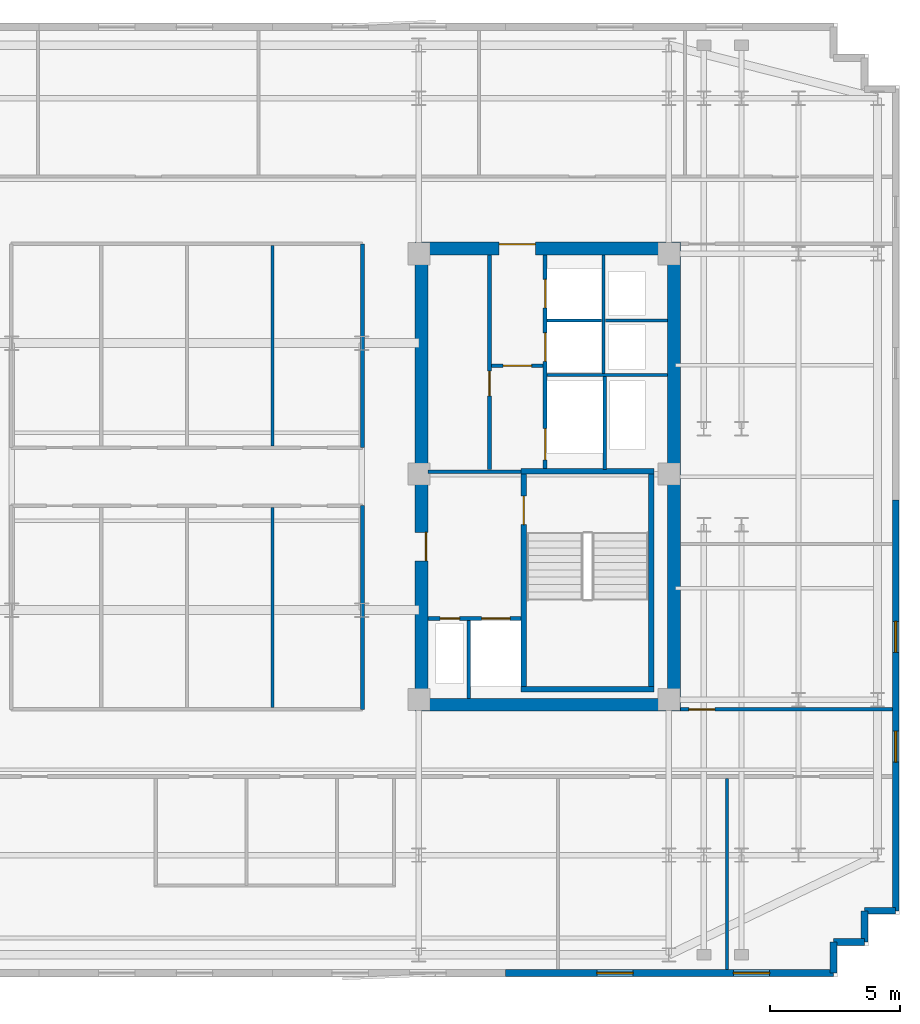
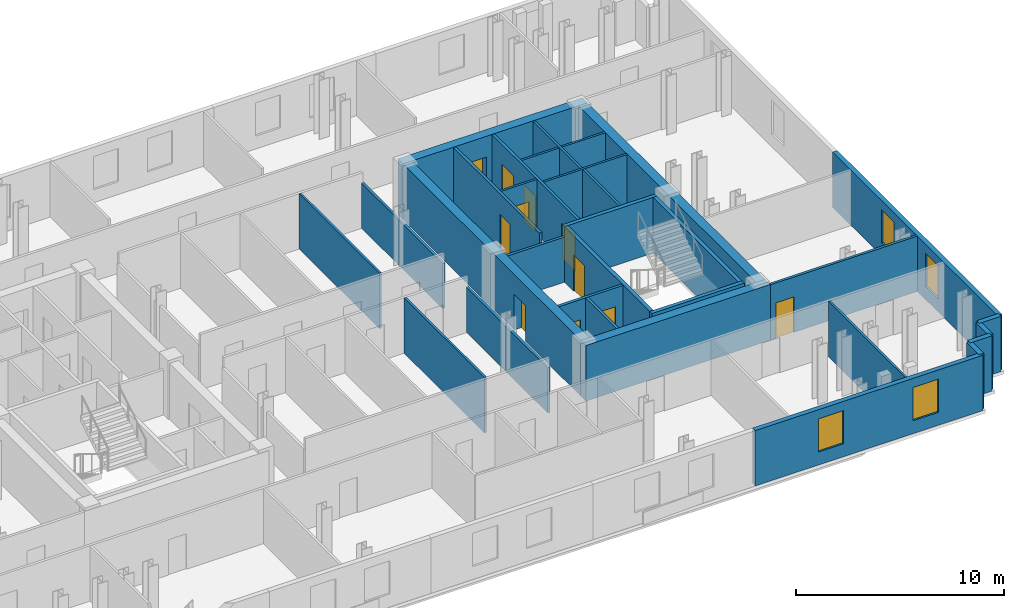
# One storey, part 6 of 9: 31 walls, 11 doors, 4 windows, 15 openings.
"""IFC4 building model written with IfcOpenShell, lengths in metres."""

from ifc_helpers import new_model, si_unit, direction, frame, frame_2d, origin, place, context, subcontext, project, spatial, rectangle, extrude, material, layer, layer_set, type_object, element, fill, save


model = new_model("IFC4")

# Units and contexts
model_context = context("Model", 3, precision=1e-05, world=origin(), true_north=direction((0.0, 1.0)))
body_context = subcontext(model_context, "Body", "Model", "MODEL_VIEW")
ifc_project = project(units=[si_unit("LENGTHUNIT", "METRE"), si_unit("AREAUNIT", "SQUARE_METRE"), si_unit("VOLUMEUNIT", "CUBIC_METRE"), si_unit("PLANEANGLEUNIT", "RADIAN"), si_unit("MASSUNIT", "GRAM", prefix="KILO")], contexts=[model_context])

# Site, building, storey
site_placement = place(None, origin())
site = spatial("IfcSite", under=ifc_project, at=site_placement, CompositionType="ELEMENT")
building_placement = place(site_placement, origin())
building = spatial("IfcBuilding", under=site, at=building_placement, Name="Velakula Bourse", CompositionType="ELEMENT")
storey_placement = place(building_placement, frame((0.0, 0.0, 236.10009765625)))
storey = spatial("IfcBuildingStorey", under=building, at=storey_placement, Name="L64", CompositionType="ELEMENT", Elevation=236.10009765625)

# Wall, opening, door
ifc_material_1 = material(Name="Concrete M50 (fck 50 MPa)", Category="concrete")
ifc_layer_1 = layer(ifc_material_1, 0.2099609375, Name="Concrete M50 (fck 50 MPa)", Category="concrete")
ifc_layer_set_1 = layer_set([ifc_layer_1], Name="Concrete M50 (fck 50 MPa)")
wall_type_1 = type_object("IfcWallType", Name="WL-CORE-210", PredefinedType="SHEAR", material=ifc_layer_set_1)
wall_1_placement = place(storey_placement, frame((12.9951171875, -8.10009765625, 0.0), z_axis=(0.0, 0.0, 1.0), x_axis=(0.0, 1.0, 0.0)))
wall_1 = element("IfcWall", 1, at=wall_1_placement, inside=storey, type_object=wall_type_1, Name="L64 Core E Stairwell Shear Wall IN", PredefinedType="SHEAR", context=body_context, shape_type="SweptSolid", body=[
    extrude(rectangle(XDim=8.2001953125, YDim=0.2099609375, at=frame_2d((4.10009765625, 0.0))), origin(), (0.0, 0.0, 1.0), 3.27001953125),
])
opening_1_placement = place(wall_1_placement, frame((6.25, 0.0, 0.0)))
opening_1 = element("IfcOpeningElement", 2, at=opening_1_placement, cuts=wall_1, Name="Opening D-STE1", PredefinedType="OPENING", context=body_context, shape_type="SweptSolid", body=[
    extrude(rectangle(XDim=1.10009765625, YDim=2.14990234375, at=frame_2d((0.550048828125, 1.074951171875))), frame((0.0, 0.114990234375, 0.0), z_axis=(0.0, -1.0, 0.0), x_axis=(1.0, 0.0, 0.0)), (0.0, 0.0, 1.0), 0.22998046875),
])
ifc_material_2 = material(Name="Galvanised painted hollow steel fire door", Category="steel")
door_type_1 = type_object("IfcDoorType", Name="DR-FD120-1100x2150", OperationType="NOTDEFINED", PredefinedType="DOOR", material=ifc_material_2)
door_1_placement = place(opening_1_placement, origin())
door_1 = element("IfcDoor", 3, at=door_1_placement, inside=storey, type_object=door_type_1, Name="L64 Stair ST-E1 Fire Door", OperationType="SINGLE_SWING_RIGHT", OverallHeight=2.14990234375, OverallWidth=1.10009765625, PredefinedType="DOOR", context=body_context, shape_type="SweptSolid", body=[
    extrude(rectangle(XDim=1.10009765625, YDim=2.14990234375, at=frame_2d((0.550048828125, 1.074951171875))), frame((0.0, 0.02490234375, 0.0), z_axis=(0.0, -1.0, 0.0), x_axis=(1.0, 0.0, 0.0)), (0.0, 0.0, 1.0), 0.050048828125),
])
fill(opening_1, door_1)

# Walls
wall_2_placement = place(storey_placement, frame((17.925048828125, -8.10009765625, 0.0), z_axis=(0.0, 0.0, 1.0), x_axis=(0.0, 1.0, 0.0)))
element("IfcWall", 4, at=wall_2_placement, inside=storey, type_object=wall_type_1, Name="L64 Core E Stairwell Shear Wall OUT", PredefinedType="SHEAR", context=body_context, shape_type="SweptSolid", body=[
    extrude(rectangle(XDim=8.2001953125, YDim=0.2099609375, at=frame_2d((4.10009765625, 0.0))), origin(), (0.0, 0.0, 1.0), 3.27001953125),
])
for number, where, z_axis, x_axis, name in (
    (5, (12.889892578125, -8.205078125, 0.0), (0.0, 0.0, 1.0), (1.0, 0.0, 0.0), "L64 Core E Stairwell Shear Wall S"),
    (6, (18.030029296875, 0.205078125, 0.0), (0.0, 0.0, 1.0), (-1.0, 0.0, 0.0), "L64 Core E Stairwell Shear Wall N"),
):
    element("IfcWall", number, at=place(storey_placement, frame(where, z_axis=z_axis, x_axis=x_axis)), inside=storey, type_object=wall_type_1, Name=name, PredefinedType="SHEAR", context=body_context, shape_type="SweptSolid", body=[
        extrude(rectangle(XDim=5.14013671875, YDim=0.2099609375, at=frame_2d((2.570068359375, 0.0))), origin(), (0.0, 0.0, 1.0), 3.27001953125),
    ])
ifc_layer_2 = layer(ifc_material_1, 0.5, Name="Concrete M50 (fck 50 MPa)", Category="concrete")
ifc_layer_set_2 = layer_set([ifc_layer_2], Name="Concrete M50 (fck 50 MPa)")
wall_type_2 = type_object("IfcWallType", Name="WL-CORE-500", PredefinedType="SHEAR", material=ifc_layer_set_2)
wall_3_placement = place(storey_placement, frame((8.800048828125, -8.800048828125, 0.0), z_axis=(0.0, 0.0, 1.0), x_axis=(1.0, 0.0, 0.0)))
element("IfcWall", 7, at=wall_3_placement, inside=storey, type_object=wall_type_2, Name="L64 Core E Shear Wall S", PredefinedType="SHEAR", context=body_context, shape_type="SweptSolid", body=[
    extrude(rectangle(XDim=10.25, YDim=0.5, at=frame_2d((5.125, 0.0))), origin(), (0.0, 0.0, 1.0), 3.27001953125),
])

# Wall, opening, door
wall_4_placement = place(storey_placement, frame((8.800048828125, 8.800048828125, 0.0), z_axis=(0.0, 0.0, 1.0), x_axis=(1.0, 0.0, 0.0)))
wall_4 = element("IfcWall", 8, at=wall_4_placement, inside=storey, type_object=wall_type_2, Name="L64 Core E Shear Wall N", PredefinedType="SHEAR", context=body_context, shape_type="SweptSolid", body=[
    extrude(rectangle(XDim=10.25, YDim=0.5, at=frame_2d((5.125, 0.0))), origin(), (0.0, 0.0, 1.0), 3.27001953125),
])
opening_2_placement = place(wall_4_placement, frame((3.25, 0.0, 0.0)))
opening_2 = element("IfcOpeningElement", 9, at=opening_2_placement, cuts=wall_4, Name="Opening D-LLE", PredefinedType="OPENING", context=body_context, shape_type="SweptSolid", body=[
    extrude(rectangle(XDim=1.39990234375, YDim=2.050048828125, at=frame_2d((0.699951171875, 1.02490234375))), frame((0.0, 0.260009765625, 0.0), z_axis=(0.0, -1.0, 0.0), x_axis=(1.0, 0.0, 0.0)), (0.0, 0.0, 1.0), 0.52001953125),
])
ifc_material_3 = material(Name="Fire-rated hardwood flush architectural door", Category="wood")
door_type_2 = type_object("IfcDoorType", Name="DR-DBL-FD60-1400", OperationType="DOUBLE_DOOR_SINGLE_SWING", PredefinedType="DOOR", material=ifc_material_3)
door_2_placement = place(opening_2_placement, origin())
door_2 = element("IfcDoor", 10, at=door_2_placement, inside=storey, type_object=door_type_2, Name="L64 Core E Lift Lobby Corridor Double Door", OperationType="DOUBLE_DOOR_SINGLE_SWING", OverallHeight=2.050048828125, OverallWidth=1.39990234375, PredefinedType="DOOR", context=body_context, shape_type="SweptSolid", body=[
    extrude(rectangle(XDim=1.39990234375, YDim=2.050048828125, at=frame_2d((0.699951171875, 1.02490234375))), frame((0.0, 0.19482421875, 0.0), z_axis=(0.0, -1.0, 0.0), x_axis=(1.0, 0.0, 0.0)), (0.0, 0.0, 1.0), 0.050048828125),
])
fill(opening_2, door_2)

wall_5_placement = place(storey_placement, frame((9.050048828125, -8.550048828125, 0.0), z_axis=(0.0, 0.0, 1.0), x_axis=(0.0, 1.0, 0.0)))
wall_5 = element("IfcWall", 11, at=wall_5_placement, inside=storey, type_object=wall_type_2, Name="L64 Core E Shear Wall W", PredefinedType="SHEAR", context=body_context, shape_type="SweptSolid", body=[
    extrude(rectangle(XDim=17.10009765625, YDim=0.5, at=frame_2d((8.550048828125, 0.0))), origin(), (0.0, 0.0, 1.0), 3.27001953125),
])
opening_3_placement = place(wall_5_placement, frame((5.300048828125, 0.0, 0.0)))
opening_3 = element("IfcOpeningElement", 12, at=opening_3_placement, cuts=wall_5, Name="Opening D-FLE", PredefinedType="OPENING", context=body_context, shape_type="SweptSolid", body=[
    extrude(rectangle(XDim=1.10009765625, YDim=2.080078125, at=frame_2d((0.550048828125, 1.0400390625))), frame((0.0, 0.260009765625, 0.0), z_axis=(0.0, -1.0, 0.0), x_axis=(1.0, 0.0, 0.0)), (0.0, 0.0, 1.0), 0.52001953125),
])
door_type_3 = type_object("IfcDoorType", Name="DR-FD120-1100", OperationType="NOTDEFINED", PredefinedType="DOOR", material=ifc_material_2)
door_3_placement = place(opening_3_placement, origin())
door_3 = element("IfcDoor", 13, at=door_3_placement, inside=storey, type_object=door_type_3, Name="L64 Firefighting Lobby E Corridor Fire Door", OperationType="SINGLE_SWING_RIGHT", OverallHeight=2.080078125, OverallWidth=1.10009765625, PredefinedType="DOOR", context=body_context, shape_type="SweptSolid", body=[
    extrude(rectangle(XDim=1.10009765625, YDim=2.080078125, at=frame_2d((0.550048828125, 1.0400390625))), frame((0.0, -0.15478515625, 0.0), z_axis=(0.0, -1.0, 0.0), x_axis=(1.0, 0.0, 0.0)), (0.0, 0.0, 1.0), 0.050048828125),
])
fill(opening_3, door_3)

# Wall
wall_6_placement = place(storey_placement, frame((18.800048828125, -8.550048828125, 0.0), z_axis=(0.0, 0.0, 1.0), x_axis=(0.0, 1.0, 0.0)))
element("IfcWall", 14, at=wall_6_placement, inside=storey, type_object=wall_type_2, Name="L64 Core E Shear Wall E", PredefinedType="SHEAR", context=body_context, shape_type="SweptSolid", body=[
    extrude(rectangle(XDim=17.10009765625, YDim=0.5, at=frame_2d((8.550048828125, 0.0))), origin(), (0.0, 0.0, 1.0), 3.27001953125),
])

# Wall, openings, windows
ifc_material_4 = material(Name="Buff kilned clay facing brick masonry", Category="masonry")
ifc_layer_3 = layer(ifc_material_4, 0.260009765625, Name="Buff kilned clay facing brick masonry", Category="masonry")
ifc_layer_set_3 = layer_set([ifc_layer_3], Name="Buff kilned clay facing brick masonry")
wall_type_3 = type_object("IfcWallType", Name="WL-EXT-BRK-260", PredefinedType="STANDARD", material=ifc_layer_set_3)
wall_7_placement = place(storey_placement, frame((24.949951171875, -19.14990234375, 0.0), z_axis=(0.0, 0.0, 1.0), x_axis=(-1.0, 0.0, 0.0)))
wall_7 = element("IfcWall", 15, at=wall_7_placement, inside=storey, type_object=wall_type_3, Name="L64 S Brick Spandrel Wall B5", PredefinedType="STANDARD", context=body_context, shape_type="SweptSolid", body=[
    extrude(rectangle(XDim=12.64990234375, YDim=0.260009765625, at=frame_2d((6.324951171875, 0.0))), origin(), (0.0, 0.0, 1.0), 3.25),
])
opening_4_placement = place(wall_7_placement, frame((2.466796875, 0.0, 0.760009765625)))
opening_4 = element("IfcOpeningElement", 16, at=opening_4_placement, cuts=wall_7, Name="Opening W-03", PredefinedType="OPENING", context=body_context, shape_type="SweptSolid", body=[
    extrude(rectangle(XDim=1.39990234375, YDim=1.949951171875, at=frame_2d((0.699951171875, 0.97509765625))), frame((0.0, 0.139892578125, 0.0), z_axis=(0.0, -1.0, 0.0), x_axis=(1.0, 0.0, 0.0)), (0.0, 0.0, 1.0), 0.280029296875),
])
opening_5_placement = place(wall_7_placement, frame((7.7333984375, 0.0, 0.760009765625)))
opening_5 = element("IfcOpeningElement", 17, at=opening_5_placement, cuts=wall_7, Name="Opening W-03", PredefinedType="OPENING", context=body_context, shape_type="SweptSolid", body=[
    extrude(rectangle(XDim=1.39990234375, YDim=1.949951171875, at=frame_2d((0.699951171875, 0.97509765625))), frame((0.0, 0.139892578125, 0.0), z_axis=(0.0, -1.0, 0.0), x_axis=(1.0, 0.0, 0.0)), (0.0, 0.0, 1.0), 0.280029296875),
])
ifc_material_5 = material(Name="Double-glazed solar-control Low-E glass", Category="glass")
window_type_1 = type_object("IfcWindowType", Name="WIN-TWR-1400x2100", PartitioningType="SINGLE_PANEL", PredefinedType="WINDOW", material=ifc_material_5)
window_1_placement = place(opening_4_placement, origin())
window_1 = element("IfcWindow", 18, at=window_1_placement, inside=storey, type_object=window_type_1, Name="L64 Deep-Set Recessed Window 1", OverallHeight=1.949951171875, OverallWidth=1.39990234375, PartitioningType="SINGLE_PANEL", PredefinedType="WINDOW", context=body_context, shape_type="SweptSolid", body=[
    extrude(rectangle(XDim=1.39990234375, YDim=1.949951171875, at=frame_2d((0.699951171875, 0.97509765625))), frame((0.0, 0.030029296875, 0.0), z_axis=(0.0, -1.0, 0.0), x_axis=(1.0, 0.0, 0.0)), (0.0, 0.0, 1.0), 0.06005859375),
])
fill(opening_4, window_1)
window_2_placement = place(opening_5_placement, origin())
window_2 = element("IfcWindow", 19, at=window_2_placement, inside=storey, type_object=window_type_1, Name="L64 Deep-Set Recessed Window 2", OverallHeight=1.949951171875, OverallWidth=1.39990234375, PartitioningType="SINGLE_PANEL", PredefinedType="WINDOW", context=body_context, shape_type="SweptSolid", body=[
    extrude(rectangle(XDim=1.39990234375, YDim=1.949951171875, at=frame_2d((0.699951171875, 0.97509765625))), frame((0.0, 0.030029296875, 0.0), z_axis=(0.0, -1.0, 0.0), x_axis=(1.0, 0.0, 0.0)), (0.0, 0.0, 1.0), 0.06005859375),
])
fill(opening_5, window_2)

wall_8_placement = place(storey_placement, frame((27.35009765625, -0.89990234375, 0.0), z_axis=(0.0, 0.0, 1.0), x_axis=(0.0, -1.0, 0.0)))
wall_8 = element("IfcWall", 20, at=wall_8_placement, inside=storey, type_object=wall_type_3, Name="L64 E Brick End Wall W1", PredefinedType="STANDARD", context=body_context, shape_type="SweptSolid", body=[
    extrude(rectangle(XDim=15.85009765625, YDim=0.260009765625, at=frame_2d((7.925048828125, 0.0))), origin(), (0.0, 0.0, 1.0), 3.25),
])
opening_6_placement = place(wall_8_placement, frame((4.683349609375, 0.0, 0.760009765625)))
opening_6 = element("IfcOpeningElement", 21, at=opening_6_placement, cuts=wall_8, Name="Opening W-04", PredefinedType="OPENING", context=body_context, shape_type="SweptSolid", body=[
    extrude(rectangle(XDim=1.199951171875, YDim=1.949951171875, at=frame_2d((0.60009765625, 0.97509765625))), frame((0.0, 0.139892578125, 0.0), z_axis=(0.0, -1.0, 0.0), x_axis=(1.0, 0.0, 0.0)), (0.0, 0.0, 1.0), 0.280029296875),
])
opening_7_placement = place(wall_8_placement, frame((8.916748046875, 0.0, 0.760009765625)))
opening_7 = element("IfcOpeningElement", 22, at=opening_7_placement, cuts=wall_8, Name="Opening W-04", PredefinedType="OPENING", context=body_context, shape_type="SweptSolid", body=[
    extrude(rectangle(XDim=1.199951171875, YDim=1.949951171875, at=frame_2d((0.60009765625, 0.97509765625))), frame((0.0, 0.139892578125, 0.0), z_axis=(0.0, -1.0, 0.0), x_axis=(1.0, 0.0, 0.0)), (0.0, 0.0, 1.0), 0.280029296875),
])
window_type_2 = type_object("IfcWindowType", Name="WIN-TWR-1200x2100", PartitioningType="SINGLE_PANEL", PredefinedType="WINDOW", material=ifc_material_5)
window_3_placement = place(opening_6_placement, origin())
window_3 = element("IfcWindow", 23, at=window_3_placement, inside=storey, type_object=window_type_2, Name="L64 Deep-Set Recessed Window 1", OverallHeight=1.949951171875, OverallWidth=1.199951171875, PartitioningType="SINGLE_PANEL", PredefinedType="WINDOW", context=body_context, shape_type="SweptSolid", body=[
    extrude(rectangle(XDim=1.199951171875, YDim=1.949951171875, at=frame_2d((0.60009765625, 0.97509765625))), frame((0.0, 0.030029296875, 0.0), z_axis=(0.0, -1.0, 0.0), x_axis=(1.0, 0.0, 0.0)), (0.0, 0.0, 1.0), 0.06005859375),
])
fill(opening_6, window_3)
window_4_placement = place(opening_7_placement, origin())
window_4 = element("IfcWindow", 24, at=window_4_placement, inside=storey, type_object=window_type_2, Name="L64 Deep-Set Recessed Window 2", OverallHeight=1.949951171875, OverallWidth=1.199951171875, PartitioningType="SINGLE_PANEL", PredefinedType="WINDOW", context=body_context, shape_type="SweptSolid", body=[
    extrude(rectangle(XDim=1.199951171875, YDim=1.949951171875, at=frame_2d((0.60009765625, 0.97509765625))), frame((0.0, 0.030029296875, 0.0), z_axis=(0.0, -1.0, 0.0), x_axis=(1.0, 0.0, 0.0)), (0.0, 0.0, 1.0), 0.06005859375),
])
fill(opening_7, window_4)

# Walls
for number, where, z_axis, x_axis, name in (
    (25, (24.949951171875, -19.14990234375, 0.0), (0.0, 0.0, 1.0), (0.0, 1.0, 0.0), "L64 Serrated Corner Brick Wall SE-1"),
    (26, (24.949951171875, -17.949951171875, 0.0), (0.0, 0.0, 1.0), (1.0, 0.0, 0.0), "L64 Serrated Corner Brick Wall SE-2"),
    (27, (26.14990234375, -17.949951171875, 0.0), (0.0, 0.0, 1.0), (0.0, 1.0, 0.0), "L64 Serrated Corner Brick Wall SE-3"),
):
    element("IfcWall", number, at=place(storey_placement, frame(where, z_axis=z_axis, x_axis=x_axis)), inside=storey, type_object=wall_type_3, Name=name, PredefinedType="STANDARD", context=body_context, shape_type="SweptSolid", body=[
        extrude(rectangle(XDim=1.199951171875, YDim=0.260009765625, at=frame_2d((0.60009765625, 0.0))), origin(), (0.0, 0.0, 1.0), 3.25),
    ])
wall_9_placement = place(storey_placement, frame((26.14990234375, -16.75, 0.0), z_axis=(0.0, 0.0, 1.0), x_axis=(1.0, 0.0, 0.0)))
element("IfcWall", 28, at=wall_9_placement, inside=storey, type_object=wall_type_3, Name="L64 Serrated Corner Brick Wall SE-4", PredefinedType="STANDARD", context=body_context, shape_type="SweptSolid", body=[
    extrude(rectangle(XDim=1.2001953125, YDim=0.260009765625, at=frame_2d((0.60009765625, 0.0))), origin(), (0.0, 0.0, 1.0), 3.25),
])

# Wall, opening, door
ifc_material_6 = material(Name="Fire-rated double-layer gypsum drywall partition", Category="gypsum")
ifc_layer_4 = layer(ifc_material_6, 0.1201171875, Name="Fire-rated double-layer gypsum drywall partition", Category="gypsum")
ifc_layer_set_4 = layer_set([ifc_layer_4], Name="Fire-rated double-layer gypsum drywall partition")
wall_type_4 = type_object("IfcWallType", Name="WL-PART-120", PredefinedType="STANDARD", material=ifc_layer_set_4)
wall_10_placement = place(storey_placement, frame((11.75, 4.280029296875, 0.0), z_axis=(0.0, 0.0, 1.0), x_axis=(1.0, 0.0, 0.0)))
wall_10 = element("IfcWall", 29, at=wall_10_placement, inside=storey, type_object=wall_type_4, Name="L64 Interior Partition WL-CRE-L64-LL-K2", PredefinedType="STANDARD", context=body_context, shape_type="SweptSolid", body=[
    extrude(rectangle(XDim=2.0, YDim=0.1201171875, at=frame_2d((1.0, 0.0))), origin(), (0.0, 0.0, 1.0), 3.25),
])
opening_8_placement = place(wall_10_placement, frame((0.449951171875, 0.0, 0.0)))
opening_8 = element("IfcOpeningElement", 30, at=opening_8_placement, cuts=wall_10, Name="Opening D-LK2", PredefinedType="OPENING", context=body_context, shape_type="SweptSolid", body=[
    extrude(rectangle(XDim=1.10009765625, YDim=2.10009765625, at=frame_2d((0.550048828125, 1.050048828125))), frame((0.0, 0.070068359375, 0.0), z_axis=(0.0, -1.0, 0.0), x_axis=(1.0, 0.0, 0.0)), (0.0, 0.0, 1.0), 0.14013671875),
])
door_type_4 = type_object("IfcDoorType", Name="DR-FD60-1100x2100", OperationType="NOTDEFINED", PredefinedType="DOOR", material=ifc_material_3)
door_4_placement = place(opening_8_placement, origin())
door_4 = element("IfcDoor", 31, at=door_4_placement, inside=storey, type_object=door_type_4, Name="L64 Core E Lift Lobby Zone Door", OperationType="SINGLE_SWING_LEFT", OverallHeight=2.10009765625, OverallWidth=1.10009765625, PredefinedType="DOOR", context=body_context, shape_type="SweptSolid", body=[
    extrude(rectangle(XDim=1.10009765625, YDim=2.10009765625, at=frame_2d((0.550048828125, 1.050048828125))), frame((0.0, 0.02490234375, 0.0), z_axis=(0.0, -1.0, 0.0), x_axis=(1.0, 0.0, 0.0)), (0.0, 0.0, 1.0), 0.050048828125),
])
fill(opening_8, door_4)

# Walls
wall_11_placement = place(storey_placement, frame((13.89990234375, 3.919921875, 0.0), z_axis=(0.0, 0.0, 1.0), x_axis=(1.0, 0.0, 0.0)))
element("IfcWall", 32, at=wall_11_placement, inside=storey, type_object=wall_type_4, Name="L64 Interior Partition WL-CRE-L64-HI-S", PredefinedType="STANDARD", context=body_context, shape_type="SweptSolid", body=[
    extrude(rectangle(XDim=4.650146484375, YDim=0.1201171875, at=frame_2d((2.3251953125, 0.0))), origin(), (0.0, 0.0, 1.0), 3.25),
])
wall_12_placement = place(storey_placement, frame((16.14990234375, 6.030029296875, 0.0), z_axis=(0.0, 0.0, 1.0), x_axis=(1.0, 0.0, 0.0)))
element("IfcWall", 33, at=wall_12_placement, inside=storey, type_object=wall_type_4, Name="L64 Interior Partition WL-CRE-L64-RIS-MID", PredefinedType="STANDARD", context=body_context, shape_type="SweptSolid", body=[
    extrude(rectangle(XDim=2.400146484375, YDim=0.1201171875, at=frame_2d((1.2001953125, 0.0))), origin(), (0.0, 0.0, 1.0), 3.25),
])
wall_13_placement = place(storey_placement, frame((16.074951171875, 3.97998046875, 0.0), z_axis=(0.0, 0.0, 1.0), x_axis=(0.0, 1.0, 0.0)))
element("IfcWall", 34, at=wall_13_placement, inside=storey, type_object=wall_type_4, Name="L64 Interior Partition WL-CRE-L64-RIS-F", PredefinedType="STANDARD", context=body_context, shape_type="SweptSolid", body=[
    extrude(rectangle(XDim=4.570068359375, YDim=0.1201171875, at=frame_2d((2.28515625, 0.0))), origin(), (0.0, 0.0, 1.0), 3.25),
])
wall_14_placement = place(storey_placement, frame((13.89990234375, 6.030029296875, 0.0), z_axis=(0.0, 0.0, 1.0), x_axis=(1.0, 0.0, 0.0)))
element("IfcWall", 35, at=wall_14_placement, inside=storey, type_object=wall_type_4, Name="L64 Interior Partition WL-CRE-L64-HI-DIV", PredefinedType="STANDARD", context=body_context, shape_type="SweptSolid", body=[
    extrude(rectangle(XDim=2.10009765625, YDim=0.1201171875, at=frame_2d((1.050048828125, 0.0))), origin(), (0.0, 0.0, 1.0), 3.25),
])
wall_15_placement = place(storey_placement, frame((16.125, 0.27001953125, 0.0), z_axis=(0.0, 0.0, 1.0), x_axis=(0.0, 1.0, 0.0)))
element("IfcWall", 36, at=wall_15_placement, inside=storey, type_object=wall_type_4, Name="L64 Interior Partition WL-CRE-L64-SVL-E", PredefinedType="STANDARD", context=body_context, shape_type="SweptSolid", body=[
    extrude(rectangle(XDim=3.590087890625, YDim=0.1201171875, at=frame_2d((1.794921875, 0.0))), origin(), (0.0, 0.0, 1.0), 3.25),
])
wall_16_placement = place(storey_placement, frame((20.8369140625, -19.02001953125, 0.0), z_axis=(0.0, 0.0, 1.0), x_axis=(0.0, 1.0, 0.0)))
element("IfcWall", 37, at=wall_16_placement, inside=storey, type_object=wall_type_4, Name="L64 Interior Partition WL-INT-L64-SR-D8", PredefinedType="STANDARD", context=body_context, shape_type="SweptSolid", body=[
    extrude(rectangle(XDim=7.380126953125, YDim=0.1201171875, at=frame_2d((3.68994140625, 0.0))), origin(), (0.0, 0.0, 1.0), 3.25),
])

# Wall, opening, door
ifc_layer_5 = layer(ifc_material_6, 0.139892578125, Name="Fire-rated double-layer gypsum drywall partition", Category="gypsum")
ifc_layer_set_5 = layer_set([ifc_layer_5], Name="Fire-rated double-layer gypsum drywall partition")
wall_type_5 = type_object("IfcWallType", Name="WL-PART-140", PredefinedType="STANDARD", material=ifc_layer_set_5)
wall_17_placement = place(storey_placement, frame((19.050048828125, -8.97998046875, 0.0), z_axis=(0.0, 0.0, 1.0), x_axis=(1.0, 0.0, 0.0)))
wall_17 = element("IfcWall", 38, at=wall_17_placement, inside=storey, type_object=wall_type_5, Name="L64 Interior Partition WL-INT-L64-E-SC", PredefinedType="STANDARD", context=body_context, shape_type="SweptSolid", body=[
    extrude(rectangle(XDim=8.169921875, YDim=0.139892578125, at=frame_2d((4.0849609375, 0.0))), origin(), (0.0, 0.0, 1.0), 3.25),
])
opening_9_placement = place(wall_17_placement, frame((0.320068359375, 0.0, 0.0)))
opening_9 = element("IfcOpeningElement", 39, at=opening_9_placement, cuts=wall_17, Name="Opening D-OF1", PredefinedType="OPENING", context=body_context, shape_type="SweptSolid", body=[
    extrude(rectangle(XDim=1.0, YDim=2.080078125, at=frame_2d((0.5, 1.0400390625))), frame((0.0, 0.079833984375, 0.0), z_axis=(0.0, -1.0, 0.0), x_axis=(1.0, 0.0, 0.0)), (0.0, 0.0, 1.0), 0.159912109375),
])
door_type_5 = type_object("IfcDoorType", Name="DR-OFF-1000", OperationType="NOTDEFINED", PredefinedType="DOOR", material=ifc_material_3)
door_5_placement = place(opening_9_placement, origin())
door_5 = element("IfcDoor", 40, at=door_5_placement, inside=storey, type_object=door_type_5, Name="L64 Prime-Brokerage Dealing Workspace Door", OperationType="SINGLE_SWING_RIGHT", OverallHeight=2.080078125, OverallWidth=1.0, PredefinedType="DOOR", context=body_context, shape_type="SweptSolid", body=[
    extrude(rectangle(XDim=1.0, YDim=2.080078125, at=frame_2d((0.5, 1.0400390625))), frame((0.0, 0.02490234375, 0.0), z_axis=(0.0, -1.0, 0.0), x_axis=(1.0, 0.0, 0.0)), (0.0, 0.0, 1.0), 0.050048828125),
])
fill(opening_9, door_5)

# Walls
wall_18_placement = place(storey_placement, frame((6.780029296875, 1.1201171875, 0.0), z_axis=(0.0, 0.0, 1.0), x_axis=(0.0, 1.0, 0.0)))
element("IfcWall", 41, at=wall_18_placement, inside=storey, type_object=wall_type_5, Name="L64 Interior Partition WL-INT-L64-MN-E", PredefinedType="STANDARD", context=body_context, shape_type="SweptSolid", body=[
    extrude(rectangle(XDim=7.85986328125, YDim=0.139892578125, at=frame_2d((3.929931640625, 0.0))), origin(), (0.0, 0.0, 1.0), 2.64501953125),
])
wall_19_placement = place(storey_placement, frame((3.300048828125, 1.18994140625, 0.0), z_axis=(0.0, 0.0, 1.0), x_axis=(0.0, 1.0, 0.0)))
element("IfcWall", 42, at=wall_19_placement, inside=storey, type_object=wall_type_5, Name="L64 Interior Partition WL-INT-L64-MN-V3", PredefinedType="STANDARD", context=body_context, shape_type="SweptSolid", body=[
    extrude(rectangle(XDim=7.719970703125, YDim=0.1201171875, at=frame_2d((3.85986328125, 0.0))), origin(), (0.0, 0.0, 1.0), 3.25),
])
wall_20_placement = place(storey_placement, frame((6.780029296875, -8.97998046875, 0.0), z_axis=(0.0, 0.0, 1.0), x_axis=(0.0, 1.0, 0.0)))
element("IfcWall", 43, at=wall_20_placement, inside=storey, type_object=wall_type_5, Name="L64 Interior Partition WL-INT-L64-MS-E", PredefinedType="STANDARD", context=body_context, shape_type="SweptSolid", body=[
    extrude(rectangle(XDim=7.85986328125, YDim=0.139892578125, at=frame_2d((3.929931640625, 0.0))), origin(), (0.0, 0.0, 1.0), 2.64501953125),
])
wall_21_placement = place(storey_placement, frame((3.300048828125, -8.909912109375, 0.0), z_axis=(0.0, 0.0, 1.0), x_axis=(0.0, 1.0, 0.0)))
element("IfcWall", 44, at=wall_21_placement, inside=storey, type_object=wall_type_5, Name="L64 Interior Partition WL-INT-L64-MS-V3", PredefinedType="STANDARD", context=body_context, shape_type="SweptSolid", body=[
    extrude(rectangle(XDim=7.719970703125, YDim=0.1201171875, at=frame_2d((3.85986328125, 0.0))), origin(), (0.0, 0.0, 1.0), 3.25),
])

# Wall, openings, doors
ifc_material_7 = material(Name="Autoclaved aerated concrete blockwork masonry", Category="masonry")
ifc_layer_6 = layer(ifc_material_7, 0.14990234375, Name="Autoclaved aerated concrete blockwork masonry", Category="masonry")
ifc_layer_set_6 = layer_set([ifc_layer_6], Name="Autoclaved aerated concrete blockwork masonry")
wall_type_6 = type_object("IfcWallType", Name="WL-SHAFT-150", PredefinedType="STANDARD", material=ifc_layer_set_6)
wall_22_placement = place(storey_placement, frame((9.300048828125, -5.47509765625, 0.0), z_axis=(0.0, 0.0, 1.0), x_axis=(1.0, 0.0, 0.0)))
wall_22 = element("IfcWall", 45, at=wall_22_placement, inside=storey, type_object=wall_type_6, Name="L64 Interior Partition WL-CRE-L64-FFL-N", PredefinedType="STANDARD", context=body_context, shape_type="SweptSolid", body=[
    extrude(rectangle(XDim=3.594970703125, YDim=0.14990234375, at=frame_2d((1.79736328125, 0.0))), origin(), (0.0, 0.0, 1.0), 3.25),
])
opening_10_placement = place(wall_22_placement, frame((2.074951171875, 0.0, 0.0)))
opening_10 = element("IfcOpeningElement", 46, at=opening_10_placement, cuts=wall_22, Name="Opening LD-FFL-2", PredefinedType="OPENING", context=body_context, shape_type="SweptSolid", body=[
    extrude(rectangle(XDim=1.10009765625, YDim=2.14990234375, at=frame_2d((0.550048828125, 1.074951171875))), frame((0.0, 0.0849609375, 0.0), z_axis=(0.0, -1.0, 0.0), x_axis=(1.0, 0.0, 0.0)), (0.0, 0.0, 1.0), 0.169921875),
])
opening_11_placement = place(wall_22_placement, frame((0.47509765625, 0.0, 0.0)))
opening_11 = element("IfcOpeningElement", 47, at=opening_11_placement, cuts=wall_22, Name="Opening D-RS1", PredefinedType="OPENING", context=body_context, shape_type="SweptSolid", body=[
    extrude(rectangle(XDim=0.75, YDim=2.050048828125, at=frame_2d((0.375, 1.02490234375))), frame((0.0, 0.0849609375, 0.0), z_axis=(0.0, -1.0, 0.0), x_axis=(1.0, 0.0, 0.0)), (0.0, 0.0, 1.0), 0.169921875),
])
door_type_6 = type_object("IfcDoorType", Name="DR-RISER-800", OperationType="NOTDEFINED", PredefinedType="DOOR", material=ifc_material_2)
door_6_placement = place(opening_11_placement, origin())
door_6 = element("IfcDoor", 48, at=door_6_placement, inside=storey, type_object=door_type_6, Name="L64 Fire Riser Access Door", OperationType="SINGLE_SWING_LEFT", OverallHeight=2.050048828125, OverallWidth=0.75, PredefinedType="DOOR", context=body_context, shape_type="SweptSolid", body=[
    extrude(rectangle(XDim=0.75, YDim=2.050048828125, at=frame_2d((0.375, 1.02490234375))), frame((0.0, 0.02490234375, 0.0), z_axis=(0.0, -1.0, 0.0), x_axis=(1.0, 0.0, 0.0)), (0.0, 0.0, 1.0), 0.050048828125),
])
fill(opening_11, door_6)
ifc_material_8 = material(Name="Brushed grade 316 stainless steel", Category="steel")
door_type_7 = type_object("IfcDoorType", Name="DR-SLIDE-FFL-1100", OperationType="DOUBLE_DOOR_SLIDING", PredefinedType="DOOR", material=ifc_material_8)
door_7_placement = place(opening_10_placement, origin())
door_7 = element("IfcDoor", 49, at=door_7_placement, inside=storey, type_object=door_type_7, Name="L64 Firefighting Lift FFL-2 Sliding Landing Door", OperationType="DOUBLE_DOOR_SLIDING", OverallHeight=2.14990234375, OverallWidth=1.10009765625, PredefinedType="DOOR", context=body_context, shape_type="SweptSolid", body=[
    extrude(rectangle(XDim=1.10009765625, YDim=2.14990234375, at=frame_2d((0.550048828125, 1.074951171875))), frame((0.0, 0.02490234375, 0.0), z_axis=(0.0, -1.0, 0.0), x_axis=(1.0, 0.0, 0.0)), (0.0, 0.0, 1.0), 0.050048828125),
])
fill(opening_10, door_7)

# Walls
wall_23_placement = place(storey_placement, frame((10.875, -8.550048828125, 0.0), z_axis=(0.0, 0.0, 1.0), x_axis=(0.0, 1.0, 0.0)))
element("IfcWall", 50, at=wall_23_placement, inside=storey, type_object=wall_type_6, Name="L64 Interior Partition WL-CRE-L64-FR-DIV", PredefinedType="STANDARD", context=body_context, shape_type="SweptSolid", body=[
    extrude(rectangle(XDim=3.0, YDim=0.14990234375, at=frame_2d((1.5, 0.0))), origin(), (0.0, 0.0, 1.0), 3.25),
])
wall_24_placement = place(storey_placement, frame((9.300048828125, 0.18994140625, 0.0), z_axis=(0.0, 0.0, 1.0), x_axis=(1.0, 0.0, 0.0)))
element("IfcWall", 51, at=wall_24_placement, inside=storey, type_object=wall_type_6, Name="L64 Interior Partition WL-CRE-L64-FF-TOP", PredefinedType="STANDARD", context=body_context, shape_type="SweptSolid", body=[
    extrude(rectangle(XDim=3.58984375, YDim=0.14990234375, at=frame_2d((1.794921875, 0.0))), origin(), (0.0, 0.0, 1.0), 2.64501953125),
])

# Wall, opening, door
wall_25_placement = place(storey_placement, frame((11.675048828125, 0.27001953125, 0.0), z_axis=(0.0, 0.0, 1.0), x_axis=(0.0, 1.0, 0.0)))
wall_25 = element("IfcWall", 52, at=wall_25_placement, inside=storey, type_object=wall_type_6, Name="L64 Interior Partition WL-CRE-L64-BANK-F", PredefinedType="STANDARD", context=body_context, shape_type="SweptSolid", body=[
    extrude(rectangle(XDim=8.280029296875, YDim=0.14990234375, at=frame_2d((4.14013671875, 0.0))), origin(), (0.0, 0.0, 1.0), 3.25),
])
opening_12_placement = place(wall_25_placement, frame((2.85009765625, 0.0, 0.0)))
opening_12 = element("IfcOpeningElement", 53, at=opening_12_placement, cuts=wall_25, Name="Opening D-RC5", PredefinedType="OPENING", context=body_context, shape_type="SweptSolid", body=[
    extrude(rectangle(XDim=0.949951171875, YDim=2.050048828125, at=frame_2d((0.47509765625, 1.02490234375))), frame((0.0, 0.0849609375, 0.0), z_axis=(0.0, -1.0, 0.0), x_axis=(1.0, 0.0, 0.0)), (0.0, 0.0, 1.0), 0.169921875),
])
door_type_8 = type_object("IfcDoorType", Name="DR-FD60-950x2050", OperationType="NOTDEFINED", PredefinedType="DOOR", material=ifc_material_3)
door_8_placement = place(opening_12_placement, origin())
door_8 = element("IfcDoor", 54, at=door_8_placement, inside=storey, type_object=door_type_8, Name="L64 Reclaimed Multi-Bay Depository Room Door", OperationType="SINGLE_SWING_LEFT", OverallHeight=2.050048828125, OverallWidth=0.949951171875, PredefinedType="DOOR", context=body_context, shape_type="SweptSolid", body=[
    extrude(rectangle(XDim=0.949951171875, YDim=2.050048828125, at=frame_2d((0.47509765625, 1.02490234375))), frame((0.0, 0.02490234375, 0.0), z_axis=(0.0, -1.0, 0.0), x_axis=(1.0, 0.0, 0.0)), (0.0, 0.0, 1.0), 0.050048828125),
])
fill(opening_12, door_8)

# Wall, openings, doors
wall_26_placement = place(storey_placement, frame((13.824951171875, 0.27001953125, 0.0), z_axis=(0.0, 0.0, 1.0), x_axis=(0.0, 1.0, 0.0)))
wall_26 = element("IfcWall", 55, at=wall_26_placement, inside=storey, type_object=wall_type_6, Name="L64 Interior Partition WL-CRE-L64-OUT-F", PredefinedType="STANDARD", context=body_context, shape_type="SweptSolid", body=[
    extrude(rectangle(XDim=8.280029296875, YDim=0.14990234375, at=frame_2d((4.14013671875, 0.0))), origin(), (0.0, 0.0, 1.0), 3.25),
])
opening_13_placement = place(wall_26_placement, frame((4.175048828125, 0.0, 0.0)))
opening_13 = element("IfcOpeningElement", 56, at=opening_13_placement, cuts=wall_26, Name="Opening LD-P11", PredefinedType="OPENING", context=body_context, shape_type="SweptSolid", body=[
    extrude(rectangle(XDim=1.10009765625, YDim=2.10009765625, at=frame_2d((0.550048828125, 1.050048828125))), frame((0.0, 0.0849609375, 0.0), z_axis=(0.0, -1.0, 0.0), x_axis=(1.0, 0.0, 0.0)), (0.0, 0.0, 1.0), 0.169921875),
])
opening_14_placement = place(wall_26_placement, frame((6.2451171875, 0.0, 0.0)))
opening_14 = element("IfcOpeningElement", 57, at=opening_14_placement, cuts=wall_26, Name="Opening LD-P12", PredefinedType="OPENING", context=body_context, shape_type="SweptSolid", body=[
    extrude(rectangle(XDim=1.10009765625, YDim=2.10009765625, at=frame_2d((0.550048828125, 1.050048828125))), frame((0.0, 0.0849609375, 0.0), z_axis=(0.0, -1.0, 0.0), x_axis=(1.0, 0.0, 0.0)), (0.0, 0.0, 1.0), 0.169921875),
])
opening_15_placement = place(wall_26_placement, frame((0.3798828125, 0.0, 0.0)))
opening_15 = element("IfcOpeningElement", 58, at=opening_15_placement, cuts=wall_26, Name="Opening LD-SVL1", PredefinedType="OPENING", context=body_context, shape_type="SweptSolid", body=[
    extrude(rectangle(XDim=1.199951171875, YDim=2.10009765625, at=frame_2d((0.60009765625, 1.050048828125))), frame((0.0, 0.0849609375, 0.0), z_axis=(0.0, -1.0, 0.0), x_axis=(1.0, 0.0, 0.0)), (0.0, 0.0, 1.0), 0.169921875),
])
door_type_9 = type_object("IfcDoorType", Name="DR-SLIDE-LD-1100", OperationType="DOUBLE_DOOR_SLIDING", PredefinedType="DOOR", material=ifc_material_8)
door_9_placement = place(opening_13_placement, origin())
door_9 = element("IfcDoor", 59, at=door_9_placement, inside=storey, type_object=door_type_9, Name="L64 Passenger Lift P11 Sliding Landing Door", OperationType="DOUBLE_DOOR_SLIDING", OverallHeight=2.10009765625, OverallWidth=1.10009765625, PredefinedType="DOOR", context=body_context, shape_type="SweptSolid", body=[
    extrude(rectangle(XDim=1.10009765625, YDim=2.10009765625, at=frame_2d((0.550048828125, 1.050048828125))), frame((0.0, 0.02490234375, 0.0), z_axis=(0.0, -1.0, 0.0), x_axis=(1.0, 0.0, 0.0)), (0.0, 0.0, 1.0), 0.050048828125),
])
fill(opening_13, door_9)
door_10_placement = place(opening_14_placement, origin())
door_10 = element("IfcDoor", 60, at=door_10_placement, inside=storey, type_object=door_type_9, Name="L64 Passenger Lift P12 Sliding Landing Door", OperationType="DOUBLE_DOOR_SLIDING", OverallHeight=2.10009765625, OverallWidth=1.10009765625, PredefinedType="DOOR", context=body_context, shape_type="SweptSolid", body=[
    extrude(rectangle(XDim=1.10009765625, YDim=2.10009765625, at=frame_2d((0.550048828125, 1.050048828125))), frame((0.0, 0.02490234375, 0.0), z_axis=(0.0, -1.0, 0.0), x_axis=(1.0, 0.0, 0.0)), (0.0, 0.0, 1.0), 0.050048828125),
])
fill(opening_14, door_10)
door_type_10 = type_object("IfcDoorType", Name="DR-SLIDE-LD-1200", OperationType="DOUBLE_DOOR_SLIDING", PredefinedType="DOOR", material=ifc_material_8)
door_11_placement = place(opening_15_placement, origin())
door_11 = element("IfcDoor", 61, at=door_11_placement, inside=storey, type_object=door_type_10, Name="L64 Service Lift SVL-1 Sliding Landing Door", OperationType="DOUBLE_DOOR_SLIDING", OverallHeight=2.10009765625, OverallWidth=1.199951171875, PredefinedType="DOOR", context=body_context, shape_type="SweptSolid", body=[
    extrude(rectangle(XDim=1.199951171875, YDim=2.10009765625, at=frame_2d((0.60009765625, 1.050048828125))), frame((0.0, 0.02490234375, 0.0), z_axis=(0.0, -1.0, 0.0), x_axis=(1.0, 0.0, 0.0)), (0.0, 0.0, 1.0), 0.050048828125),
])
fill(opening_15, door_11)

save(model, "model.ifc")
